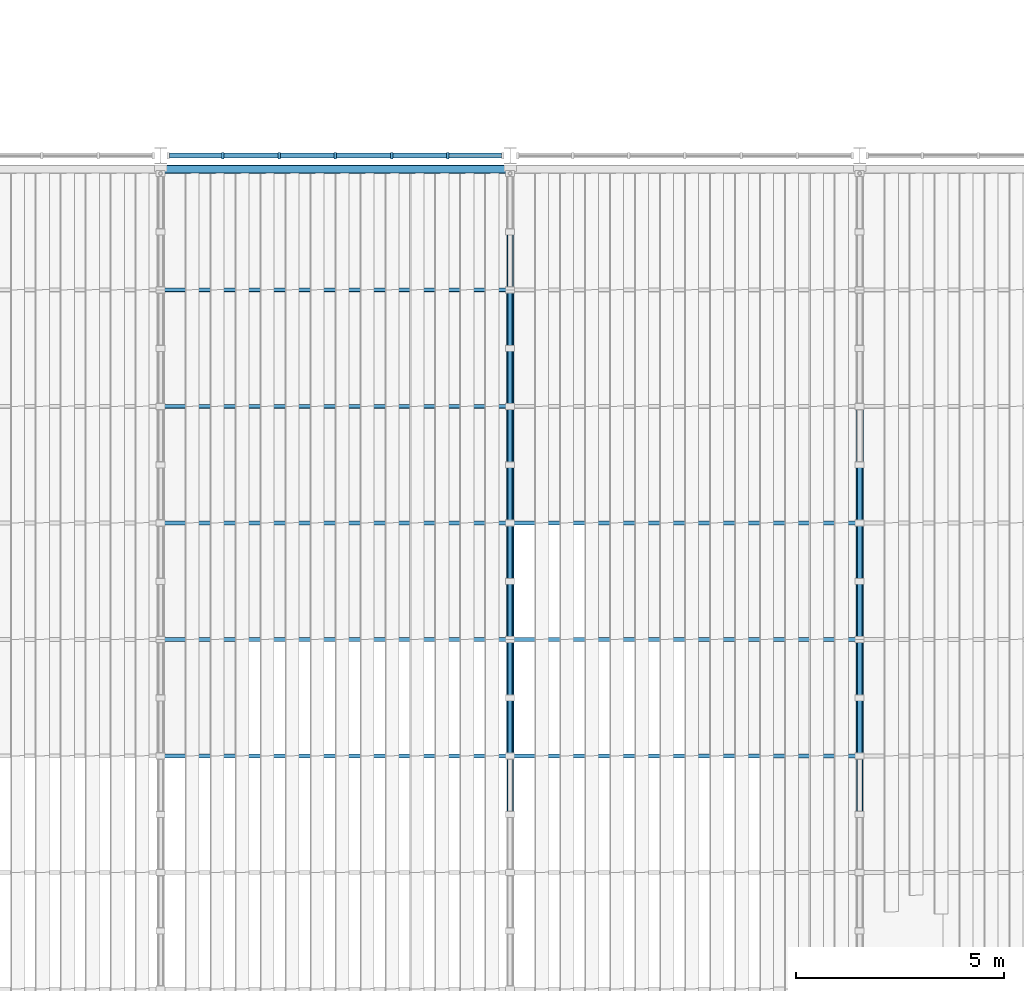
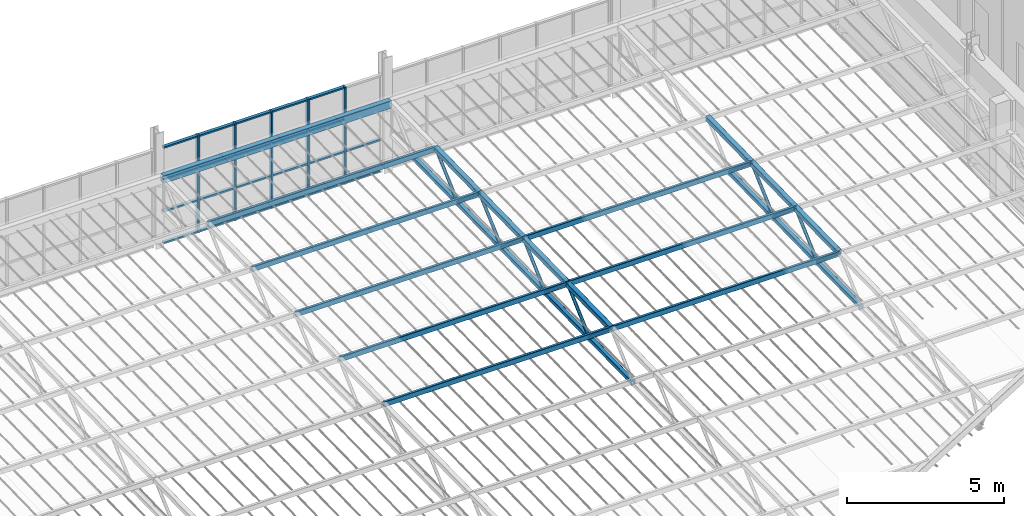
# One storey, part 32 of 129: 63 members, 1 beam, 1 element without a shape of its own.
"""IFC4 building model written with IfcOpenShell, lengths in metres."""

from ifc_helpers import new_model, si_unit, direction, frame, origin, origin_2d, place, context, subcontext, project, spatial, rectangle, hollow_rectangle, hollow_circle, extrude, material, layer, layer_set, material_profile, profile_set, type_object, element, aggregate, save


model = new_model("IFC4")

# Units and contexts
model_context = context("Model", 3, precision=1e-05, world=origin(), true_north=direction((0.0, 1.0)))
body_context = subcontext(model_context, "Body", "Model", "MODEL_VIEW")
ifc_project = project(units=[si_unit("LENGTHUNIT", "METRE"), si_unit("AREAUNIT", "SQUARE_METRE"), si_unit("VOLUMEUNIT", "CUBIC_METRE"), si_unit("PLANEANGLEUNIT", "RADIAN"), si_unit("MASSUNIT", "GRAM", prefix="KILO")], contexts=[model_context])

# Site, building, storey
site_placement = place(None, origin())
site = spatial("IfcSite", under=ifc_project, at=site_placement, CompositionType="ELEMENT")
building_placement = place(site_placement, origin())
building = spatial("IfcBuilding", under=site, at=building_placement, Name="Ardhachandra Cancer Care Centre", CompositionType="ELEMENT")
storey_placement = place(building_placement, frame((0.0, 0.0, 4.5)))
storey = spatial("IfcBuildingStorey", under=building, at=storey_placement, Name="L01", CompositionType="ELEMENT", Elevation=4.5)

# Members
ifc_material_1 = material(Name="Steel E350 (IS 2062)", Category="steel")
ifc_material_profile_1 = material_profile(ifc_material_1, hollow_rectangle(XDim=0.10009765625, YDim=0.199951171875, WallThickness=0.006103515625, InnerFilletRadius=0.006103515625, OuterFilletRadius=0.011962890625, at=origin_2d()), Name="RHS 200x100x6.0")
ifc_profile_set_1 = profile_set([ifc_material_profile_1], Name="Steel E350 (IS 2062)")
member_type_1 = type_object("IfcMemberType", Name="Canopy purlin RHS 200x100x6.0", PredefinedType="PURLIN", material=ifc_profile_set_1)
for number, where, z_axis, x_axis, name in (
    (1, (86.39990234375, 51.375, 2.78759765625), (1.0, 0.0, 0.0), (0.0, 1.0, 0.0), "Canopy purlin 1-6"),
    (2, (86.39990234375, 48.574951171875, 2.7314453125), (1.0, 0.0, 0.0), (0.0, 1.0, 0.0), "Canopy purlin 2-6"),
    (3, (86.39990234375, 45.77490234375, 2.675537109375), (1.0, 0.0, 0.0), (0.0, 1.0, 0.0), "Canopy purlin 3-6"),
):
    element("IfcMember", number, at=place(storey_placement, frame(where, z_axis=z_axis, x_axis=x_axis)), inside=storey, type_object=member_type_1, Name=name, PredefinedType="PURLIN", context=body_context, shape_type="SweptSolid", body=[
        extrude(hollow_rectangle(XDim=0.10009765625, YDim=0.199951171875, WallThickness=0.006103515625, InnerFilletRadius=0.006103515625, OuterFilletRadius=0.011962890625, at=origin_2d()), origin(), (0.0, 0.0, 1.0), 8.400146484375),
    ])
member_1_placement = place(storey_placement, frame((94.800048828125, 45.77490234375, 2.675537109375), z_axis=(1.0, 0.0, 0.0), x_axis=(0.0, 1.0, 0.0)))
element("IfcMember", 4, at=member_1_placement, inside=storey, type_object=member_type_1, Name="Canopy purlin 3-7", PredefinedType="PURLIN", context=body_context, shape_type="SweptSolid", body=[
    extrude(hollow_rectangle(XDim=0.10009765625, YDim=0.199951171875, WallThickness=0.006103515625, InnerFilletRadius=0.006103515625, OuterFilletRadius=0.011962890625, at=origin_2d()), origin(), (0.0, 0.0, 1.0), 8.39990234375),
])
member_2_placement = place(storey_placement, frame((86.39990234375, 42.97509765625, 2.619384765625), z_axis=(1.0, 0.0, 0.0), x_axis=(0.0, 1.0, 0.0)))
element("IfcMember", 5, at=member_2_placement, inside=storey, type_object=member_type_1, Name="Canopy purlin 4-6", PredefinedType="PURLIN", context=body_context, shape_type="SweptSolid", body=[
    extrude(hollow_rectangle(XDim=0.10009765625, YDim=0.199951171875, WallThickness=0.006103515625, InnerFilletRadius=0.006103515625, OuterFilletRadius=0.011962890625, at=origin_2d()), origin(), (0.0, 0.0, 1.0), 8.400146484375),
])
member_3_placement = place(storey_placement, frame((94.800048828125, 42.97509765625, 2.619384765625), z_axis=(1.0, 0.0, 0.0), x_axis=(0.0, 1.0, 0.0)))
element("IfcMember", 6, at=member_3_placement, inside=storey, type_object=member_type_1, Name="Canopy purlin 4-7", PredefinedType="PURLIN", context=body_context, shape_type="SweptSolid", body=[
    extrude(hollow_rectangle(XDim=0.10009765625, YDim=0.199951171875, WallThickness=0.006103515625, InnerFilletRadius=0.006103515625, OuterFilletRadius=0.011962890625, at=origin_2d()), origin(), (0.0, 0.0, 1.0), 8.39990234375),
])
member_4_placement = place(storey_placement, frame((86.39990234375, 40.175048828125, 2.5634765625), z_axis=(1.0, 0.0, 0.0), x_axis=(0.0, 1.0, 0.0)))
element("IfcMember", 7, at=member_4_placement, inside=storey, type_object=member_type_1, Name="Canopy purlin 5-6", PredefinedType="PURLIN", context=body_context, shape_type="SweptSolid", body=[
    extrude(hollow_rectangle(XDim=0.10009765625, YDim=0.199951171875, WallThickness=0.006103515625, InnerFilletRadius=0.006103515625, OuterFilletRadius=0.011962890625, at=origin_2d()), origin(), (0.0, 0.0, 1.0), 8.400146484375),
])
member_5_placement = place(storey_placement, frame((94.800048828125, 40.175048828125, 2.5634765625), z_axis=(1.0, 0.0, 0.0), x_axis=(0.0, 1.0, 0.0)))
element("IfcMember", 8, at=member_5_placement, inside=storey, type_object=member_type_1, Name="Canopy purlin 5-7", PredefinedType="PURLIN", context=body_context, shape_type="SweptSolid", body=[
    extrude(hollow_rectangle(XDim=0.10009765625, YDim=0.199951171875, WallThickness=0.006103515625, InnerFilletRadius=0.006103515625, OuterFilletRadius=0.011962890625, at=origin_2d()), origin(), (0.0, 0.0, 1.0), 8.39990234375),
])

# Beam
ifc_material_2 = material(Name="Steel E350 (IS 2062)", Category="steel")
ifc_material_profile_2 = material_profile(ifc_material_2, hollow_rectangle(XDim=0.199951171875, YDim=0.300048828125, WallThickness=0.010009765625, InnerFilletRadius=0.010009765625, OuterFilletRadius=0.02001953125, at=origin_2d()), Name="RHS 300x200x10.0")
ifc_profile_set_2 = profile_set([ifc_material_profile_2], Name="Steel E350 (IS 2062)")
beam_type = type_object("IfcBeamType", Name="Canopy ring and eave beam RHS 300x200x10.0", PredefinedType="BEAM", material=ifc_profile_set_2)
beam_placement = place(storey_placement, frame((86.39990234375, 54.27490234375, 2.79541015625), z_axis=(1.0, 0.0, 0.0), x_axis=(0.0, 1.0, 0.0)))
element("IfcBeam", 9, at=beam_placement, inside=storey, type_object=beam_type, Name="Canopy eave beam 6", PredefinedType="BEAM", context=body_context, shape_type="SweptSolid", body=[
    extrude(hollow_rectangle(XDim=0.199951171875, YDim=0.300048828125, WallThickness=0.010009765625, InnerFilletRadius=0.010009765625, OuterFilletRadius=0.02001953125, at=origin_2d()), origin(), (0.0, 0.0, 1.0), 8.400146484375),
])

# Members
ifc_material_3 = material(Name="Steel E350 (IS 2062)", Category="steel")
ifc_material_profile_3 = material_profile(ifc_material_3, hollow_rectangle(XDim=0.14990234375, YDim=0.14990234375, WallThickness=0.006103515625, InnerFilletRadius=0.006103515625, OuterFilletRadius=0.011962890625, at=origin_2d()), Name="SHS 150x150x6.0")
ifc_profile_set_3 = profile_set([ifc_material_profile_3], Name="Steel E350 (IS 2062)")
member_type_2 = type_object("IfcMemberType", Name="Canopy truss bottom chord SHS 150x150x6.0", PredefinedType="CHORD", material=ifc_profile_set_3)
member_6_placement = place(storey_placement, frame((94.800048828125, 52.77490234375, 1.590576171875), z_axis=(0.0, -0.999798942946, -0.020051775103), x_axis=(1.0, 0.0, 0.0)))
element("IfcMember", 10, at=member_6_placement, inside=storey, type_object=member_type_2, Name="Canopy truss 7 bottom chord BC12", PredefinedType="CHORD", context=body_context, shape_type="SweptSolid", body=[
    extrude(hollow_rectangle(XDim=0.14990234375, YDim=0.14990234375, WallThickness=0.006103515625, InnerFilletRadius=0.006103515625, OuterFilletRadius=0.011962890625, at=origin_2d()), origin(), (0.0, 0.0, 1.0), 2.80029296875),
])
for number, where, z_axis, x_axis, name in (
    (11, (94.800048828125, 49.97509765625, 1.534423828125), (0.0, -0.999800721691, -0.019962888244), (1.0, 0.0, 0.0), "Canopy truss 7 bottom chord BC13"),
    (12, (94.800048828125, 47.175048828125, 1.478515625), (0.0, -0.999800721691, -0.019962888244), (1.0, 0.0, 0.0), "Canopy truss 7 bottom chord BC14"),
    (13, (94.800048828125, 44.375, 1.422607421875), (0.0, -0.999798977995, -0.02005002746), (1.0, 0.0, 0.0), "Canopy truss 7 bottom chord BC15"),
    (14, (94.800048828125, 41.574951171875, 1.366455078125), (0.0, -0.999800721691, -0.019962888244), (1.0, 0.0, 0.0), "Canopy truss 7 bottom chord BC16"),
    (15, (103.199951171875, 47.175048828125, 1.478515625), (0.0, -0.999800721691, -0.019962888244), (1.0, 0.0, 0.0), "Canopy truss 8 bottom chord BC13"),
    (16, (103.199951171875, 44.375, 1.422607421875), (0.0, -0.999798977995, -0.02005002746), (1.0, 0.0, 0.0), "Canopy truss 8 bottom chord BC14"),
    (17, (103.199951171875, 41.574951171875, 1.366455078125), (0.0, -0.999800721691, -0.019962888244), (1.0, 0.0, 0.0), "Canopy truss 8 bottom chord BC15"),
):
    element("IfcMember", number, at=place(storey_placement, frame(where, z_axis=z_axis, x_axis=x_axis)), inside=storey, type_object=member_type_2, Name=name, PredefinedType="CHORD", context=body_context, shape_type="SweptSolid", body=[
        extrude(hollow_rectangle(XDim=0.14990234375, YDim=0.14990234375, WallThickness=0.006103515625, InnerFilletRadius=0.006103515625, OuterFilletRadius=0.011962890625, at=origin_2d()), origin(), (0.0, 0.0, 1.0), 2.800537109375),
    ])
ifc_material_4 = material(Name="Steel E350 (IS 2062)", Category="steel")
ifc_material_profile_4 = material_profile(ifc_material_4, hollow_circle(Radius=0.05712890625, WallThickness=0.0048828125, at=origin_2d()), Name="CHS 114.3x5.0")
ifc_profile_set_4 = profile_set([ifc_material_profile_4], Name="Steel E350 (IS 2062)")
member_type_3 = type_object("IfcMemberType", Name="Canopy truss diagonal CHS 114.3x5.0", PredefinedType="BRACE", material=ifc_profile_set_4)
member_7_placement = place(storey_placement, frame((94.800048828125, 51.375, 2.797607421875), z_axis=(0.0, -0.742430813776, -0.669922746857), x_axis=(1.0, 0.0, 0.0)))
element("IfcMember", 18, at=member_7_placement, inside=storey, type_object=member_type_3, Name="Canopy truss 7 web diagonal WD24", PredefinedType="BRACE", context=body_context, shape_type="SweptSolid", body=[
    extrude(hollow_circle(Radius=0.05712890625, WallThickness=0.0048828125, at=origin_2d()), origin(), (0.0, 0.0, 1.0), 1.885498046875),
])
member_8_placement = place(storey_placement, frame((94.800048828125, 49.97509765625, 1.534423828125), z_axis=(0.0, -0.75740770942, 0.65294223459), x_axis=(1.0, 0.0, 0.0)))
element("IfcMember", 19, at=member_8_placement, inside=storey, type_object=member_type_3, Name="Canopy truss 7 web diagonal WD25", PredefinedType="BRACE", context=body_context, shape_type="SweptSolid", body=[
    extrude(hollow_circle(Radius=0.05712890625, WallThickness=0.0048828125, at=origin_2d()), origin(), (0.0, 0.0, 1.0), 1.8486328125),
])
member_9_placement = place(storey_placement, frame((94.800048828125, 48.574951171875, 2.741455078125), z_axis=(0.0, -0.742495214915, -0.669851368461), x_axis=(1.0, 0.0, 0.0)))
element("IfcMember", 20, at=member_9_placement, inside=storey, type_object=member_type_3, Name="Canopy truss 7 web diagonal WD26", PredefinedType="BRACE", context=body_context, shape_type="SweptSolid", body=[
    extrude(hollow_circle(Radius=0.05712890625, WallThickness=0.0048828125, at=origin_2d()), origin(), (0.0, 0.0, 1.0), 1.885498046875),
])
member_10_placement = place(storey_placement, frame((94.800048828125, 47.175048828125, 1.478515625), z_axis=(0.0, -0.75740770942, 0.65294223459), x_axis=(1.0, 0.0, 0.0)))
element("IfcMember", 21, at=member_10_placement, inside=storey, type_object=member_type_3, Name="Canopy truss 7 web diagonal WD27", PredefinedType="BRACE", context=body_context, shape_type="SweptSolid", body=[
    extrude(hollow_circle(Radius=0.05712890625, WallThickness=0.0048828125, at=origin_2d()), origin(), (0.0, 0.0, 1.0), 1.8486328125),
])
member_11_placement = place(storey_placement, frame((94.800048828125, 45.77490234375, 2.685546875), z_axis=(0.0, -0.742495214915, -0.669851368461), x_axis=(1.0, 0.0, 0.0)))
element("IfcMember", 22, at=member_11_placement, inside=storey, type_object=member_type_3, Name="Canopy truss 7 web diagonal WD28", PredefinedType="BRACE", context=body_context, shape_type="SweptSolid", body=[
    extrude(hollow_circle(Radius=0.05712890625, WallThickness=0.0048828125, at=origin_2d()), origin(), (0.0, 0.0, 1.0), 1.885498046875),
])
member_12_placement = place(storey_placement, frame((94.800048828125, 44.375, 1.422607421875), z_axis=(0.0, -0.757416719347, 0.652931783002), x_axis=(1.0, 0.0, 0.0)))
element("IfcMember", 23, at=member_12_placement, inside=storey, type_object=member_type_3, Name="Canopy truss 7 web diagonal WD29", PredefinedType="BRACE", context=body_context, shape_type="SweptSolid", body=[
    extrude(hollow_circle(Radius=0.05712890625, WallThickness=0.0048828125, at=origin_2d()), origin(), (0.0, 0.0, 1.0), 1.84814453125),
])
member_13_placement = place(storey_placement, frame((94.800048828125, 42.97509765625, 2.62939453125), z_axis=(0.0, -0.742553308775, -0.669786968839), x_axis=(1.0, 0.0, 0.0)))
element("IfcMember", 24, at=member_13_placement, inside=storey, type_object=member_type_3, Name="Canopy truss 7 web diagonal WD30", PredefinedType="BRACE", context=body_context, shape_type="SweptSolid", body=[
    extrude(hollow_circle(Radius=0.05712890625, WallThickness=0.0048828125, at=origin_2d()), origin(), (0.0, 0.0, 1.0), 1.885498046875),
])
member_14_placement = place(storey_placement, frame((94.800048828125, 41.574951171875, 1.366455078125), z_axis=(0.0, -0.757351396119, 0.653007551868), x_axis=(1.0, 0.0, 0.0)))
element("IfcMember", 25, at=member_14_placement, inside=storey, type_object=member_type_3, Name="Canopy truss 7 web diagonal WD31", PredefinedType="BRACE", context=body_context, shape_type="SweptSolid", body=[
    extrude(hollow_circle(Radius=0.05712890625, WallThickness=0.0048828125, at=origin_2d()), origin(), (0.0, 0.0, 1.0), 1.848388671875),
])
member_15_placement = place(storey_placement, frame((103.199951171875, 47.175048828125, 1.478515625), z_axis=(0.0, -0.75740770942, 0.65294223459), x_axis=(1.0, 0.0, 0.0)))
element("IfcMember", 26, at=member_15_placement, inside=storey, type_object=member_type_3, Name="Canopy truss 8 web diagonal WD24", PredefinedType="BRACE", context=body_context, shape_type="SweptSolid", body=[
    extrude(hollow_circle(Radius=0.05712890625, WallThickness=0.0048828125, at=origin_2d()), origin(), (0.0, 0.0, 1.0), 1.8486328125),
])
member_16_placement = place(storey_placement, frame((103.199951171875, 45.77490234375, 2.685546875), z_axis=(0.0, -0.742495214915, -0.669851368461), x_axis=(1.0, 0.0, 0.0)))
element("IfcMember", 27, at=member_16_placement, inside=storey, type_object=member_type_3, Name="Canopy truss 8 web diagonal WD25", PredefinedType="BRACE", context=body_context, shape_type="SweptSolid", body=[
    extrude(hollow_circle(Radius=0.05712890625, WallThickness=0.0048828125, at=origin_2d()), origin(), (0.0, 0.0, 1.0), 1.885498046875),
])
member_17_placement = place(storey_placement, frame((103.199951171875, 44.375, 1.422607421875), z_axis=(0.0, -0.757416719347, 0.652931783002), x_axis=(1.0, 0.0, 0.0)))
element("IfcMember", 28, at=member_17_placement, inside=storey, type_object=member_type_3, Name="Canopy truss 8 web diagonal WD26", PredefinedType="BRACE", context=body_context, shape_type="SweptSolid", body=[
    extrude(hollow_circle(Radius=0.05712890625, WallThickness=0.0048828125, at=origin_2d()), origin(), (0.0, 0.0, 1.0), 1.84814453125),
])
member_18_placement = place(storey_placement, frame((103.199951171875, 42.97509765625, 2.62939453125), z_axis=(0.0, -0.742553308775, -0.669786968839), x_axis=(1.0, 0.0, 0.0)))
element("IfcMember", 29, at=member_18_placement, inside=storey, type_object=member_type_3, Name="Canopy truss 8 web diagonal WD27", PredefinedType="BRACE", context=body_context, shape_type="SweptSolid", body=[
    extrude(hollow_circle(Radius=0.05712890625, WallThickness=0.0048828125, at=origin_2d()), origin(), (0.0, 0.0, 1.0), 1.885498046875),
])
member_19_placement = place(storey_placement, frame((103.199951171875, 41.574951171875, 1.366455078125), z_axis=(0.0, -0.757351396119, 0.653007551868), x_axis=(1.0, 0.0, 0.0)))
element("IfcMember", 30, at=member_19_placement, inside=storey, type_object=member_type_3, Name="Canopy truss 8 web diagonal WD28", PredefinedType="BRACE", context=body_context, shape_type="SweptSolid", body=[
    extrude(hollow_circle(Radius=0.05712890625, WallThickness=0.0048828125, at=origin_2d()), origin(), (0.0, 0.0, 1.0), 1.848388671875),
])
ifc_material_5 = material(Name="Steel E350 (IS 2062)", Category="steel")
ifc_material_profile_5 = material_profile(ifc_material_5, hollow_rectangle(XDim=0.179931640625, YDim=0.179931640625, WallThickness=0.008056640625, InnerFilletRadius=0.008056640625, OuterFilletRadius=0.01611328125, at=origin_2d()), Name="SHS 180x180x8.0")
ifc_profile_set_5 = profile_set([ifc_material_profile_5], Name="Steel E350 (IS 2062)")
member_type_4 = type_object("IfcMemberType", Name="Canopy truss top chord SHS 180x180x8.0", PredefinedType="CHORD", material=ifc_profile_set_5)
for number, where, z_axis, x_axis, name in (
    (31, (94.800048828125, 51.375, 2.797607421875), (0.0, -0.999798977995, -0.02005002746), (1.0, 0.0, 0.0), "Canopy truss 7 top chord TC2"),
    (32, (94.800048828125, 48.574951171875, 2.741455078125), (0.0, -0.999800721691, -0.019962888244), (1.0, 0.0, 0.0), "Canopy truss 7 top chord TC3"),
):
    element("IfcMember", number, at=place(storey_placement, frame(where, z_axis=z_axis, x_axis=x_axis)), inside=storey, type_object=member_type_4, Name=name, PredefinedType="CHORD", context=body_context, shape_type="SweptSolid", body=[
        extrude(hollow_rectangle(XDim=0.179931640625, YDim=0.179931640625, WallThickness=0.008056640625, InnerFilletRadius=0.008056640625, OuterFilletRadius=0.01611328125, at=origin_2d()), origin(), (0.0, 0.0, 1.0), 2.800537109375),
    ])
member_20_placement = place(storey_placement, frame((94.800048828125, 45.77490234375, 2.685546875), z_axis=(0.0, -0.999798942946, -0.020051775103), x_axis=(1.0, 0.0, 0.0)))
element("IfcMember", 33, at=member_20_placement, inside=storey, type_object=member_type_4, Name="Canopy truss 7 top chord TC4", PredefinedType="CHORD", context=body_context, shape_type="SweptSolid", body=[
    extrude(hollow_rectangle(XDim=0.179931640625, YDim=0.179931640625, WallThickness=0.008056640625, InnerFilletRadius=0.008056640625, OuterFilletRadius=0.01611328125, at=origin_2d()), origin(), (0.0, 0.0, 1.0), 2.80029296875),
])
for number, where, z_axis, x_axis, name in (
    (34, (94.800048828125, 42.97509765625, 2.62939453125), (0.0, -0.999800721691, -0.019962888244), (1.0, 0.0, 0.0), "Canopy truss 7 top chord TC5"),
    (35, (103.199951171875, 48.574951171875, 2.741455078125), (0.0, -0.999800721691, -0.019962888244), (1.0, 0.0, 0.0), "Canopy truss 8 top chord TC3"),
):
    element("IfcMember", number, at=place(storey_placement, frame(where, z_axis=z_axis, x_axis=x_axis)), inside=storey, type_object=member_type_4, Name=name, PredefinedType="CHORD", context=body_context, shape_type="SweptSolid", body=[
        extrude(hollow_rectangle(XDim=0.179931640625, YDim=0.179931640625, WallThickness=0.008056640625, InnerFilletRadius=0.008056640625, OuterFilletRadius=0.01611328125, at=origin_2d()), origin(), (0.0, 0.0, 1.0), 2.800537109375),
    ])
member_21_placement = place(storey_placement, frame((103.199951171875, 45.77490234375, 2.685546875), z_axis=(0.0, -0.999798942946, -0.020051775103), x_axis=(1.0, 0.0, 0.0)))
element("IfcMember", 36, at=member_21_placement, inside=storey, type_object=member_type_4, Name="Canopy truss 8 top chord TC4", PredefinedType="CHORD", context=body_context, shape_type="SweptSolid", body=[
    extrude(hollow_rectangle(XDim=0.179931640625, YDim=0.179931640625, WallThickness=0.008056640625, InnerFilletRadius=0.008056640625, OuterFilletRadius=0.01611328125, at=origin_2d()), origin(), (0.0, 0.0, 1.0), 2.80029296875),
])
member_22_placement = place(storey_placement, frame((103.199951171875, 42.97509765625, 2.62939453125), z_axis=(0.0, -0.999800721691, -0.019962888244), x_axis=(1.0, 0.0, 0.0)))
element("IfcMember", 37, at=member_22_placement, inside=storey, type_object=member_type_4, Name="Canopy truss 8 top chord TC5", PredefinedType="CHORD", context=body_context, shape_type="SweptSolid", body=[
    extrude(hollow_rectangle(XDim=0.179931640625, YDim=0.179931640625, WallThickness=0.008056640625, InnerFilletRadius=0.008056640625, OuterFilletRadius=0.01611328125, at=origin_2d()), origin(), (0.0, 0.0, 1.0), 2.800537109375),
])

# Curtain wall, members
ifc_material_6 = material(Name="Aluminium extrusion", Category="aluminium")
ifc_layer = layer(ifc_material_6, 0.14990234375)
ifc_layer_set = layer_set([ifc_layer], Name="Aluminium extrusion")
curtain_wall_type = type_object("IfcCurtainWallType", Name="Curtain wall run", PredefinedType="NOTDEFINED", material=ifc_layer_set)
curtain_wall_placement = place(storey_placement, origin())
curtain_wall = element("IfcCurtainWall", 38, at=curtain_wall_placement, inside=storey, type_object=curtain_wall_type, Name="Curtain wall L01 s/0086400_0054600", PredefinedType="NOTDEFINED")
ifc_material_7 = material(Name="Aluminium extrusion", Category="aluminium")
ifc_material_profile_6 = material_profile(ifc_material_7, rectangle(XDim=0.159912109375, YDim=0.06005859375, at=origin_2d()), Name="Curtain wall mullion 60 x 160")
ifc_profile_set_6 = profile_set([ifc_material_profile_6], Name="Aluminium extrusion")
member_type_5 = type_object("IfcMemberType", Name="Curtain wall mullion 60 x 160", PredefinedType="MULLION", material=ifc_profile_set_6)
member_23_placement = place(storey_placement, frame((87.89990234375, 54.60009765625, 0.0), z_axis=(0.0, 0.0, 1.0), x_axis=(0.0, 1.0, 0.0)))
member_23 = element("IfcMember", 39, at=member_23_placement, type_object=member_type_5, Name="CW mullion 2", PredefinedType="MULLION", context=body_context, shape_type="SweptSolid", body=[
    extrude(rectangle(XDim=0.159912109375, YDim=0.06005859375, at=origin_2d()), origin(), (0.0, 0.0, 1.0), 3.780517578125),
])
member_24_placement = place(storey_placement, frame((89.25, 54.60009765625, 0.0), z_axis=(0.0, 0.0, 1.0), x_axis=(0.0, 1.0, 0.0)))
member_24 = element("IfcMember", 40, at=member_24_placement, type_object=member_type_5, Name="CW mullion 3", PredefinedType="MULLION", context=body_context, shape_type="SweptSolid", body=[
    extrude(rectangle(XDim=0.159912109375, YDim=0.06005859375, at=origin_2d()), origin(), (0.0, 0.0, 1.0), 3.780517578125),
])
member_25_placement = place(storey_placement, frame((90.60009765625, 54.60009765625, 0.0), z_axis=(0.0, 0.0, 1.0), x_axis=(0.0, 1.0, 0.0)))
member_25 = element("IfcMember", 41, at=member_25_placement, type_object=member_type_5, Name="CW mullion 4", PredefinedType="MULLION", context=body_context, shape_type="SweptSolid", body=[
    extrude(rectangle(XDim=0.159912109375, YDim=0.06005859375, at=origin_2d()), origin(), (0.0, 0.0, 1.0), 3.780517578125),
])
member_26_placement = place(storey_placement, frame((91.949951171875, 54.60009765625, 0.0), z_axis=(0.0, 0.0, 1.0), x_axis=(0.0, 1.0, 0.0)))
member_26 = element("IfcMember", 42, at=member_26_placement, type_object=member_type_5, Name="CW mullion 5", PredefinedType="MULLION", context=body_context, shape_type="SweptSolid", body=[
    extrude(rectangle(XDim=0.159912109375, YDim=0.06005859375, at=origin_2d()), origin(), (0.0, 0.0, 1.0), 3.780517578125),
])
member_27_placement = place(storey_placement, frame((93.300048828125, 54.60009765625, 0.0), z_axis=(0.0, 0.0, 1.0), x_axis=(0.0, 1.0, 0.0)))
member_27 = element("IfcMember", 43, at=member_27_placement, type_object=member_type_5, Name="CW mullion 6", PredefinedType="MULLION", context=body_context, shape_type="SweptSolid", body=[
    extrude(rectangle(XDim=0.159912109375, YDim=0.06005859375, at=origin_2d()), origin(), (0.0, 0.0, 1.0), 3.780517578125),
])
ifc_material_8 = material(Name="Aluminium extrusion", Category="aluminium")
ifc_material_profile_7 = material_profile(ifc_material_8, rectangle(XDim=0.1201171875, YDim=0.06005859375, at=origin_2d()), Name="Curtain wall transom 60 x 120")
ifc_profile_set_7 = profile_set([ifc_material_profile_7], Name="Aluminium extrusion")
member_type_6 = type_object("IfcMemberType", Name="Curtain wall transom 60 x 120", PredefinedType="USERDEFINED", material=ifc_profile_set_7)
member_28_placement = place(storey_placement, frame((86.610107421875, 54.60009765625, 0.030029296875), z_axis=(1.0, 0.0, 0.0), x_axis=(0.0, 1.0, 0.0)))
member_28 = element("IfcMember", 44, at=member_28_placement, type_object=member_type_6, Name="CW transom 1.1", ObjectType="TRANSOM", PredefinedType="USERDEFINED", context=body_context, shape_type="SweptSolid", body=[
    extrude(rectangle(XDim=0.1201171875, YDim=0.06005859375, at=origin_2d()), origin(), (0.0, 0.0, 1.0), 1.260009765625),
])
member_29_placement = place(storey_placement, frame((86.610107421875, 54.60009765625, 1.26025390625), z_axis=(1.0, 0.0, 0.0), x_axis=(0.0, 1.0, 0.0)))
member_29 = element("IfcMember", 45, at=member_29_placement, type_object=member_type_6, Name="CW transom 1.2", ObjectType="TRANSOM", PredefinedType="USERDEFINED", context=body_context, shape_type="SweptSolid", body=[
    extrude(rectangle(XDim=0.1201171875, YDim=0.06005859375, at=origin_2d()), origin(), (0.0, 0.0, 1.0), 1.260009765625),
])
member_30_placement = place(storey_placement, frame((86.610107421875, 54.60009765625, 2.520263671875), z_axis=(1.0, 0.0, 0.0), x_axis=(0.0, 1.0, 0.0)))
member_30 = element("IfcMember", 46, at=member_30_placement, type_object=member_type_6, Name="CW transom 1.3", ObjectType="TRANSOM", PredefinedType="USERDEFINED", context=body_context, shape_type="SweptSolid", body=[
    extrude(rectangle(XDim=0.1201171875, YDim=0.06005859375, at=origin_2d()), origin(), (0.0, 0.0, 1.0), 1.260009765625),
])
member_31_placement = place(storey_placement, frame((86.610107421875, 54.60009765625, 3.75048828125), z_axis=(1.0, 0.0, 0.0), x_axis=(0.0, 1.0, 0.0)))
member_31 = element("IfcMember", 47, at=member_31_placement, type_object=member_type_6, Name="CW transom 1.4", ObjectType="TRANSOM", PredefinedType="USERDEFINED", context=body_context, shape_type="SweptSolid", body=[
    extrude(rectangle(XDim=0.1201171875, YDim=0.06005859375, at=origin_2d()), origin(), (0.0, 0.0, 1.0), 1.260009765625),
])
member_32_placement = place(storey_placement, frame((87.929931640625, 54.60009765625, 0.030029296875), z_axis=(1.0, 0.0, 0.0), x_axis=(0.0, 1.0, 0.0)))
member_32 = element("IfcMember", 48, at=member_32_placement, type_object=member_type_6, Name="CW transom 2.1", ObjectType="TRANSOM", PredefinedType="USERDEFINED", context=body_context, shape_type="SweptSolid", body=[
    extrude(rectangle(XDim=0.1201171875, YDim=0.06005859375, at=origin_2d()), origin(), (0.0, 0.0, 1.0), 1.2900390625),
])
member_33_placement = place(storey_placement, frame((87.929931640625, 54.60009765625, 1.26025390625), z_axis=(1.0, 0.0, 0.0), x_axis=(0.0, 1.0, 0.0)))
member_33 = element("IfcMember", 49, at=member_33_placement, type_object=member_type_6, Name="CW transom 2.2", ObjectType="TRANSOM", PredefinedType="USERDEFINED", context=body_context, shape_type="SweptSolid", body=[
    extrude(rectangle(XDim=0.1201171875, YDim=0.06005859375, at=origin_2d()), origin(), (0.0, 0.0, 1.0), 1.2900390625),
])
member_34_placement = place(storey_placement, frame((87.929931640625, 54.60009765625, 2.520263671875), z_axis=(1.0, 0.0, 0.0), x_axis=(0.0, 1.0, 0.0)))
member_34 = element("IfcMember", 50, at=member_34_placement, type_object=member_type_6, Name="CW transom 2.3", ObjectType="TRANSOM", PredefinedType="USERDEFINED", context=body_context, shape_type="SweptSolid", body=[
    extrude(rectangle(XDim=0.1201171875, YDim=0.06005859375, at=origin_2d()), origin(), (0.0, 0.0, 1.0), 1.2900390625),
])
member_35_placement = place(storey_placement, frame((87.929931640625, 54.60009765625, 3.75048828125), z_axis=(1.0, 0.0, 0.0), x_axis=(0.0, 1.0, 0.0)))
member_35 = element("IfcMember", 51, at=member_35_placement, type_object=member_type_6, Name="CW transom 2.4", ObjectType="TRANSOM", PredefinedType="USERDEFINED", context=body_context, shape_type="SweptSolid", body=[
    extrude(rectangle(XDim=0.1201171875, YDim=0.06005859375, at=origin_2d()), origin(), (0.0, 0.0, 1.0), 1.2900390625),
])
member_36_placement = place(storey_placement, frame((89.280029296875, 54.60009765625, 0.030029296875), z_axis=(1.0, 0.0, 0.0), x_axis=(0.0, 1.0, 0.0)))
member_36 = element("IfcMember", 52, at=member_36_placement, type_object=member_type_6, Name="CW transom 3.1", ObjectType="TRANSOM", PredefinedType="USERDEFINED", context=body_context, shape_type="SweptSolid", body=[
    extrude(rectangle(XDim=0.1201171875, YDim=0.06005859375, at=origin_2d()), origin(), (0.0, 0.0, 1.0), 1.2900390625),
])
member_37_placement = place(storey_placement, frame((89.280029296875, 54.60009765625, 1.26025390625), z_axis=(1.0, 0.0, 0.0), x_axis=(0.0, 1.0, 0.0)))
member_37 = element("IfcMember", 53, at=member_37_placement, type_object=member_type_6, Name="CW transom 3.2", ObjectType="TRANSOM", PredefinedType="USERDEFINED", context=body_context, shape_type="SweptSolid", body=[
    extrude(rectangle(XDim=0.1201171875, YDim=0.06005859375, at=origin_2d()), origin(), (0.0, 0.0, 1.0), 1.2900390625),
])
member_38_placement = place(storey_placement, frame((89.280029296875, 54.60009765625, 2.520263671875), z_axis=(1.0, 0.0, 0.0), x_axis=(0.0, 1.0, 0.0)))
member_38 = element("IfcMember", 54, at=member_38_placement, type_object=member_type_6, Name="CW transom 3.3", ObjectType="TRANSOM", PredefinedType="USERDEFINED", context=body_context, shape_type="SweptSolid", body=[
    extrude(rectangle(XDim=0.1201171875, YDim=0.06005859375, at=origin_2d()), origin(), (0.0, 0.0, 1.0), 1.2900390625),
])
member_39_placement = place(storey_placement, frame((89.280029296875, 54.60009765625, 3.75048828125), z_axis=(1.0, 0.0, 0.0), x_axis=(0.0, 1.0, 0.0)))
member_39 = element("IfcMember", 55, at=member_39_placement, type_object=member_type_6, Name="CW transom 3.4", ObjectType="TRANSOM", PredefinedType="USERDEFINED", context=body_context, shape_type="SweptSolid", body=[
    extrude(rectangle(XDim=0.1201171875, YDim=0.06005859375, at=origin_2d()), origin(), (0.0, 0.0, 1.0), 1.2900390625),
])
member_40_placement = place(storey_placement, frame((90.6298828125, 54.60009765625, 0.030029296875), z_axis=(1.0, 0.0, 0.0), x_axis=(0.0, 1.0, 0.0)))
member_40 = element("IfcMember", 56, at=member_40_placement, type_object=member_type_6, Name="CW transom 4.1", ObjectType="TRANSOM", PredefinedType="USERDEFINED", context=body_context, shape_type="SweptSolid", body=[
    extrude(rectangle(XDim=0.1201171875, YDim=0.06005859375, at=origin_2d()), origin(), (0.0, 0.0, 1.0), 1.2900390625),
])
member_41_placement = place(storey_placement, frame((90.6298828125, 54.60009765625, 1.26025390625), z_axis=(1.0, 0.0, 0.0), x_axis=(0.0, 1.0, 0.0)))
member_41 = element("IfcMember", 57, at=member_41_placement, type_object=member_type_6, Name="CW transom 4.2", ObjectType="TRANSOM", PredefinedType="USERDEFINED", context=body_context, shape_type="SweptSolid", body=[
    extrude(rectangle(XDim=0.1201171875, YDim=0.06005859375, at=origin_2d()), origin(), (0.0, 0.0, 1.0), 1.2900390625),
])
member_42_placement = place(storey_placement, frame((90.6298828125, 54.60009765625, 2.520263671875), z_axis=(1.0, 0.0, 0.0), x_axis=(0.0, 1.0, 0.0)))
member_42 = element("IfcMember", 58, at=member_42_placement, type_object=member_type_6, Name="CW transom 4.3", ObjectType="TRANSOM", PredefinedType="USERDEFINED", context=body_context, shape_type="SweptSolid", body=[
    extrude(rectangle(XDim=0.1201171875, YDim=0.06005859375, at=origin_2d()), origin(), (0.0, 0.0, 1.0), 1.2900390625),
])
member_43_placement = place(storey_placement, frame((90.6298828125, 54.60009765625, 3.75048828125), z_axis=(1.0, 0.0, 0.0), x_axis=(0.0, 1.0, 0.0)))
member_43 = element("IfcMember", 59, at=member_43_placement, type_object=member_type_6, Name="CW transom 4.4", ObjectType="TRANSOM", PredefinedType="USERDEFINED", context=body_context, shape_type="SweptSolid", body=[
    extrude(rectangle(XDim=0.1201171875, YDim=0.06005859375, at=origin_2d()), origin(), (0.0, 0.0, 1.0), 1.2900390625),
])
member_44_placement = place(storey_placement, frame((91.97998046875, 54.60009765625, 0.030029296875), z_axis=(1.0, 0.0, 0.0), x_axis=(0.0, 1.0, 0.0)))
member_44 = element("IfcMember", 60, at=member_44_placement, type_object=member_type_6, Name="CW transom 5.1", ObjectType="TRANSOM", PredefinedType="USERDEFINED", context=body_context, shape_type="SweptSolid", body=[
    extrude(rectangle(XDim=0.1201171875, YDim=0.06005859375, at=origin_2d()), origin(), (0.0, 0.0, 1.0), 1.2900390625),
])
member_45_placement = place(storey_placement, frame((91.97998046875, 54.60009765625, 1.26025390625), z_axis=(1.0, 0.0, 0.0), x_axis=(0.0, 1.0, 0.0)))
member_45 = element("IfcMember", 61, at=member_45_placement, type_object=member_type_6, Name="CW transom 5.2", ObjectType="TRANSOM", PredefinedType="USERDEFINED", context=body_context, shape_type="SweptSolid", body=[
    extrude(rectangle(XDim=0.1201171875, YDim=0.06005859375, at=origin_2d()), origin(), (0.0, 0.0, 1.0), 1.2900390625),
])
member_46_placement = place(storey_placement, frame((91.97998046875, 54.60009765625, 2.520263671875), z_axis=(1.0, 0.0, 0.0), x_axis=(0.0, 1.0, 0.0)))
member_46 = element("IfcMember", 62, at=member_46_placement, type_object=member_type_6, Name="CW transom 5.3", ObjectType="TRANSOM", PredefinedType="USERDEFINED", context=body_context, shape_type="SweptSolid", body=[
    extrude(rectangle(XDim=0.1201171875, YDim=0.06005859375, at=origin_2d()), origin(), (0.0, 0.0, 1.0), 1.2900390625),
])
member_47_placement = place(storey_placement, frame((91.97998046875, 54.60009765625, 3.75048828125), z_axis=(1.0, 0.0, 0.0), x_axis=(0.0, 1.0, 0.0)))
member_47 = element("IfcMember", 63, at=member_47_placement, type_object=member_type_6, Name="CW transom 5.4", ObjectType="TRANSOM", PredefinedType="USERDEFINED", context=body_context, shape_type="SweptSolid", body=[
    extrude(rectangle(XDim=0.1201171875, YDim=0.06005859375, at=origin_2d()), origin(), (0.0, 0.0, 1.0), 1.2900390625),
])
member_48_placement = place(storey_placement, frame((93.330078125, 54.60009765625, 0.030029296875), z_axis=(1.0, 0.0, 0.0), x_axis=(0.0, 1.0, 0.0)))
member_48 = element("IfcMember", 64, at=member_48_placement, type_object=member_type_6, Name="CW transom 6.1", ObjectType="TRANSOM", PredefinedType="USERDEFINED", context=body_context, shape_type="SweptSolid", body=[
    extrude(rectangle(XDim=0.1201171875, YDim=0.06005859375, at=origin_2d()), origin(), (0.0, 0.0, 1.0), 1.260009765625),
])
member_49_placement = place(storey_placement, frame((93.330078125, 54.60009765625, 1.26025390625), z_axis=(1.0, 0.0, 0.0), x_axis=(0.0, 1.0, 0.0)))
member_49 = element("IfcMember", 65, at=member_49_placement, type_object=member_type_6, Name="CW transom 6.2", ObjectType="TRANSOM", PredefinedType="USERDEFINED", context=body_context, shape_type="SweptSolid", body=[
    extrude(rectangle(XDim=0.1201171875, YDim=0.06005859375, at=origin_2d()), origin(), (0.0, 0.0, 1.0), 1.260009765625),
])
aggregate(curtain_wall, [member_23, member_24, member_25, member_26, member_27, member_28, member_29, member_30, member_31, member_32, member_33, member_34, member_35, member_36, member_37, member_38, member_39, member_40, member_41, member_42, member_43, member_44, member_45, member_46, member_47, member_48, member_49])

save(model, "model.ifc")
